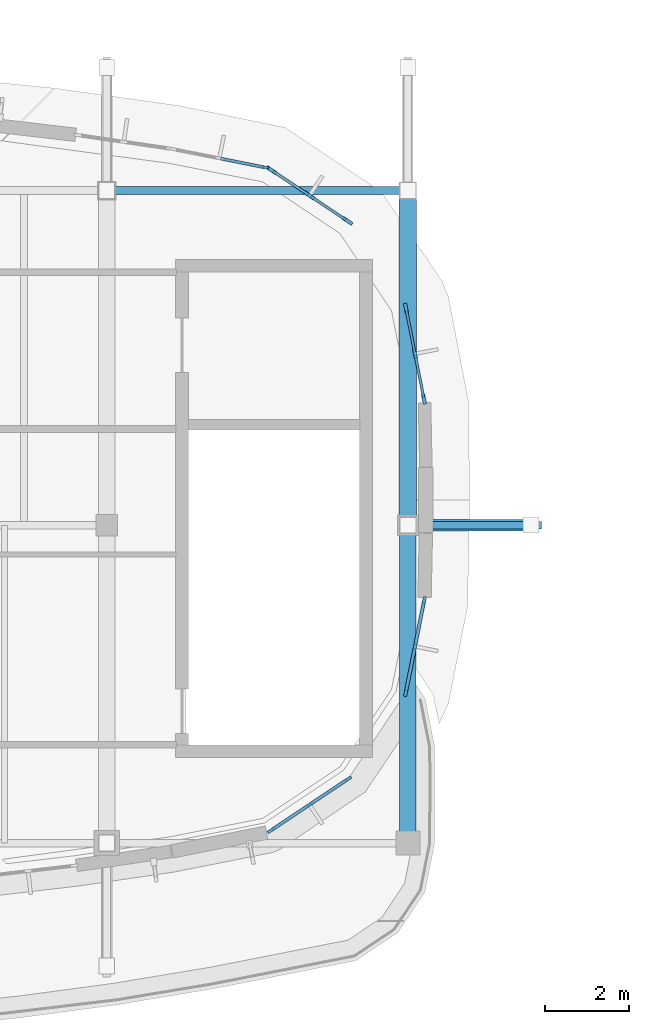
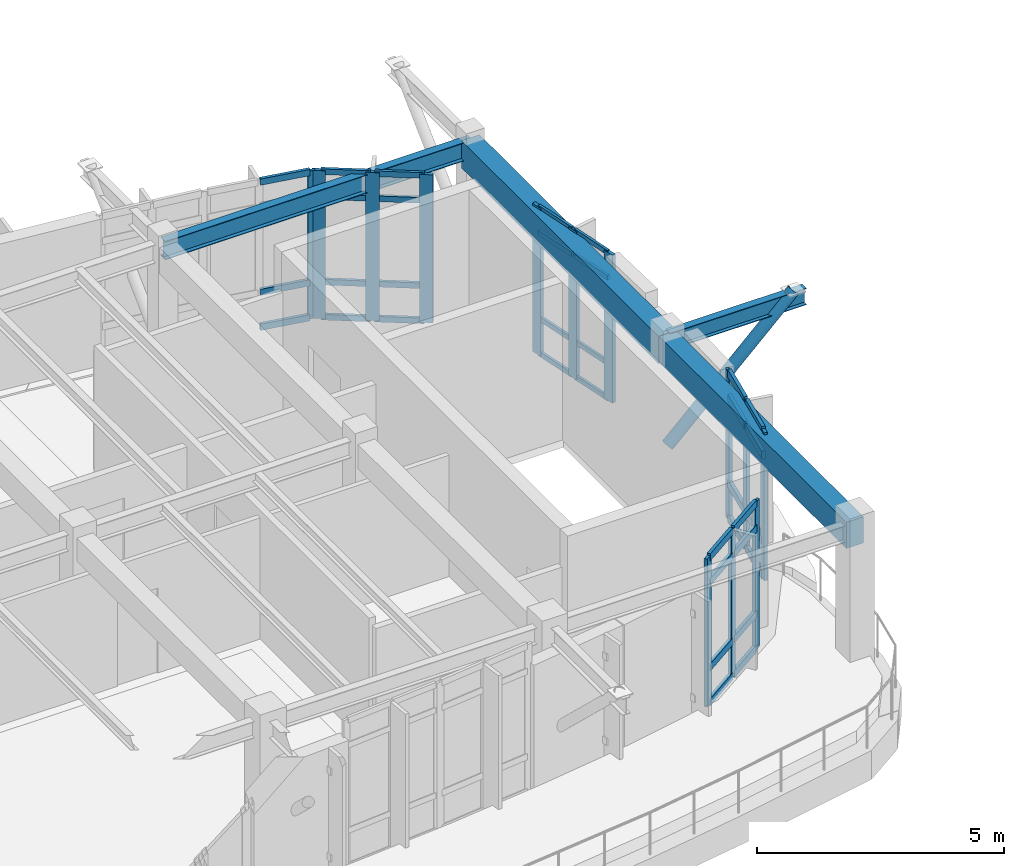
# One storey, part 27 of 105: 50 members, 4 beams, 5 elements without a shape of their own.
"""IFC4 building model written with IfcOpenShell, lengths in metres."""

from ifc_helpers import new_model, si_unit, direction, frame, origin, origin_2d, place, context, subcontext, project, spatial, rectangle, hollow_circle, i_section, extrude, material, material_profile, profile_set, type_object, element, aggregate, save


model = new_model("IFC4")

# Units and contexts
model_context = context("Model", 3, precision=1e-05, world=origin(), true_north=direction((0.0, 1.0)))
body_context = subcontext(model_context, "Body", "Model", "MODEL_VIEW")
ifc_project = project(units=[si_unit("LENGTHUNIT", "METRE"), si_unit("AREAUNIT", "SQUARE_METRE"), si_unit("VOLUMEUNIT", "CUBIC_METRE"), si_unit("PLANEANGLEUNIT", "RADIAN"), si_unit("MASSUNIT", "GRAM", prefix="KILO")], contexts=[model_context])

# Site, building, storey
site_placement = place(None, origin())
site = spatial("IfcSite", under=ifc_project, at=site_placement, CompositionType="ELEMENT")
building_placement = place(site_placement, origin())
building = spatial("IfcBuilding", under=site, at=building_placement, Name="Corveleigh Park Community Centre", CompositionType="ELEMENT")
storey_placement = place(building_placement, frame((0.0, 0.0, 8.699951171875)))
storey = spatial("IfcBuildingStorey", under=building, at=storey_placement, Name="L02", CompositionType="ELEMENT", Elevation=8.699951171875)

# Beams
ifc_material_1 = material(Name="Concrete C40/50", Category="concrete")
ifc_material_profile_1 = material_profile(ifc_material_1, rectangle(XDim=0.39990234375, YDim=0.64990234375, at=origin_2d()), Name="RC-400x650", Category="concrete")
ifc_profile_set_1 = profile_set([ifc_material_profile_1], Name="Concrete C40/50")
beam_type_1 = type_object("IfcBeamType", Name="BM-RC-400x650", PredefinedType="BEAM", material=ifc_profile_set_1)
beam_1_placement = place(storey_placement, frame((108.0, 11.205078125, 3.287109375), z_axis=(0.0, 1.0, 0.0), x_axis=(-1.0, 0.0, 0.0)))
element("IfcBeam", 1, at=beam_1_placement, inside=storey, type_object=beam_type_1, Name="V3 Girder Y", PredefinedType="BEAM", context=body_context, shape_type="SweptSolid", body=[
    extrude(rectangle(XDim=0.39990234375, YDim=0.64990234375, at=origin_2d()), origin(), (0.0, 0.0, 1.0), 7.58984375),
])
ifc_material_profile_2 = material_profile(ifc_material_1, rectangle(XDim=0.425048828125, YDim=0.675048828125, at=origin_2d()), Name="RC-425x675", Category="concrete")
ifc_profile_set_2 = profile_set([ifc_material_profile_2], Name="Concrete C40/50")
beam_type_2 = type_object("IfcBeamType", Name="BM-RC-425x675", PredefinedType="BEAM", material=ifc_profile_set_2)
beam_2_placement = place(storey_placement, frame((108.0, 18.804931640625, 3.274658203125), z_axis=(0.0, 1.0, 0.0), x_axis=(-1.0, 0.0, 0.0)))
element("IfcBeam", 2, at=beam_2_placement, inside=storey, type_object=beam_type_2, Name="V3 Girder Y", PredefinedType="BEAM", context=body_context, shape_type="SweptSolid", body=[
    extrude(rectangle(XDim=0.425048828125, YDim=0.675048828125, at=origin_2d()), origin(), (0.0, 0.0, 1.0), 7.989990234375),
])
ifc_material_2 = material(Name="Steel S355", Category="steel")
ifc_material_profile_3 = material_profile(ifc_material_2, i_section(OverallWidth=0.1787109375, OverallDepth=0.409423828125, WebThickness=0.0087890625, FlangeThickness=0.014404296875, at=origin_2d()), Name="UKB 406x178x67", Category="steel")
ifc_profile_set_3 = profile_set([ifc_material_profile_3], Name="Steel S355")
beam_type_3 = type_object("IfcBeamType", Name="BM-STL-UKB406x67", PredefinedType="BEAM", material=ifc_profile_set_3)
beam_3_placement = place(storey_placement, frame((108.010009765625, 18.800048828125, 3.459228515625), z_axis=(1.0, 0.0, 0.0), x_axis=(0.0, 1.0, 0.0)))
element("IfcBeam", 3, at=beam_3_placement, inside=storey, type_object=beam_type_3, Name="V3 End Pebble Overhang Strut 5-1 Outrigger", PredefinedType="BEAM", context=body_context, shape_type="SweptSolid", body=[
    extrude(i_section(OverallWidth=0.1787109375, OverallDepth=0.409423828125, WebThickness=0.0087890625, FlangeThickness=0.014404296875, at=origin_2d()), origin(), (0.0, 0.0, 1.0), 3.18994140625),
])
ifc_material_profile_4 = material_profile(ifc_material_2, i_section(OverallWidth=0.1904296875, OverallDepth=0.45703125, WebThickness=0.009033203125, FlangeThickness=0.014404296875, at=origin_2d()), Name="UKB 457x191x74", Category="steel")
ifc_profile_set_4 = profile_set([ifc_material_profile_4], Name="Steel S355")
beam_type_4 = type_object("IfcBeamType", Name="BM-STL-UKB457x74", PredefinedType="BEAM", material=ifc_profile_set_4)
beam_4_placement = place(storey_placement, frame((100.804931640625, 26.800048828125, 3.383544921875), z_axis=(1.0, 0.0, 0.0), x_axis=(0.0, 1.0, 0.0)))
element("IfcBeam", 4, at=beam_4_placement, inside=storey, type_object=beam_type_4, Name="V3 Girder X", PredefinedType="BEAM", context=body_context, shape_type="SweptSolid", body=[
    extrude(i_section(OverallWidth=0.1904296875, OverallDepth=0.45703125, WebThickness=0.009033203125, FlangeThickness=0.014404296875, at=origin_2d()), origin(), (0.0, 0.0, 1.0), 7.190185546875),
])

# Curtain wall, member
ifc_material_3 = material(Name="Anodised aluminium 6063-T6", Category="aluminium")
curtain_wall_type = type_object("IfcCurtainWallType", Name="CW-SYS-V3-UPP", PredefinedType="NOTDEFINED", material=ifc_material_3)
curtain_wall_1_placement = place(storey_placement, origin())
curtain_wall_1 = element("IfcCurtainWall", 5, at=curtain_wall_1_placement, inside=storey, type_object=curtain_wall_type, Name="V3 L02 Curtain Wall 343", PredefinedType="NOTDEFINED")
ifc_material_profile_5 = material_profile(ifc_material_3, rectangle(XDim=0.06005859375, YDim=0.159912109375, at=origin_2d()), Name="ALU-M60x160", Category="aluminium")
ifc_profile_set_5 = profile_set([ifc_material_profile_5], Name="Anodised aluminium 6063-T6")
member_type_1 = type_object("IfcMemberType", Name="CWM-60x160", PredefinedType="MULLION", material=ifc_profile_set_5)
member_1_placement = place(storey_placement, frame((104.592529296875, 27.354736328125, 0.0), z_axis=(0.0, 0.0, 1.0), x_axis=(0.194947048267, 0.980813768445, 0.0)))
member_1 = element("IfcMember", 6, at=member_1_placement, type_object=member_type_1, Name="CW06 mullion 3", PredefinedType="MULLION", context=body_context, shape_type="SweptSolid", body=[
    extrude(rectangle(XDim=0.06005859375, YDim=0.159912109375, at=origin_2d()), origin(), (0.0, 0.0, 1.0), 3.6640625),
])

# Curtain wall, members
curtain_wall_2_placement = place(storey_placement, origin())
curtain_wall_2 = element("IfcCurtainWall", 7, at=curtain_wall_2_placement, inside=storey, type_object=curtain_wall_type, Name="V3 L02 Curtain Wall 339", PredefinedType="NOTDEFINED")
ifc_material_profile_6 = material_profile(ifc_material_3, rectangle(XDim=0.070068359375, YDim=0.199951171875, at=origin_2d()), Name="ALU-M70x200", Category="aluminium")
ifc_profile_set_6 = profile_set([ifc_material_profile_6], Name="Anodised aluminium 6063-T6")
member_type_2 = type_object("IfcMemberType", Name="CWM-70x200", PredefinedType="MULLION", material=ifc_profile_set_6)
member_2_placement = place(storey_placement, frame((106.56298828125, 12.7265625, 0.0), z_axis=(0.0, 0.0, 1.0), x_axis=(0.55520812197, -0.831711453149, 0.0)))
member_2 = element("IfcMember", 8, at=member_2_placement, type_object=member_type_2, Name="CW06 mullion 1", PredefinedType="MULLION", context=body_context, shape_type="SweptSolid", body=[
    extrude(rectangle(XDim=0.070068359375, YDim=0.199951171875, at=origin_2d()), origin(), (0.0, 0.0, 1.0), 3.6640625),
])
member_3_placement = place(storey_placement, frame((105.6474609375, 12.115478515625, 0.0), z_axis=(0.0, 0.0, 1.0), x_axis=(0.55520812197, -0.831711453149, 0.0)))
member_3 = element("IfcMember", 9, at=member_3_placement, type_object=member_type_2, Name="CW06 mullion 2", PredefinedType="MULLION", context=body_context, shape_type="SweptSolid", body=[
    extrude(rectangle(XDim=0.070068359375, YDim=0.199951171875, at=origin_2d()), origin(), (0.0, 0.0, 1.0), 3.6640625),
])
member_4_placement = place(storey_placement, frame((104.732177734375, 11.50439453125, 0.0), z_axis=(0.0, 0.0, 1.0), x_axis=(0.55520812197, -0.831711453149, 0.0)))
member_4 = element("IfcMember", 10, at=member_4_placement, type_object=member_type_2, Name="CW06 mullion 3", PredefinedType="MULLION", context=body_context, shape_type="SweptSolid", body=[
    extrude(rectangle(XDim=0.070068359375, YDim=0.199951171875, at=origin_2d()), origin(), (0.0, 0.0, 1.0), 3.6640625),
])

curtain_wall_3_placement = place(storey_placement, origin())
curtain_wall_3 = element("IfcCurtainWall", 11, at=curtain_wall_3_placement, inside=storey, type_object=curtain_wall_type, Name="V3 L02 Curtain Wall 340", PredefinedType="NOTDEFINED")
ifc_material_profile_7 = material_profile(ifc_material_3, rectangle(XDim=0.074951171875, YDim=0.219970703125, at=origin_2d()), Name="ALU-M75x220", Category="aluminium")
ifc_profile_set_7 = profile_set([ifc_material_profile_7], Name="Anodised aluminium 6063-T6")
member_type_3 = type_object("IfcMemberType", Name="CWM-75x220", PredefinedType="MULLION", material=ifc_profile_set_7)
member_5_placement = place(storey_placement, frame((108.3876953125, 16.9873046875, 0.0), z_axis=(0.0, 0.0, 1.0), x_axis=(0.980848499041, -0.194772230896, 0.0)))
member_5 = element("IfcMember", 12, at=member_5_placement, type_object=member_type_3, Name="CW06 mullion 1", PredefinedType="MULLION", context=body_context, shape_type="SweptSolid", body=[
    extrude(rectangle(XDim=0.074951171875, YDim=0.219970703125, at=origin_2d()), origin(), (0.0, 0.0, 1.0), 3.6640625),
])
member_6_placement = place(storey_placement, frame((108.172119140625, 15.90087890625, 0.0), z_axis=(0.0, 0.0, 1.0), x_axis=(0.980848499041, -0.194772230896, 0.0)))
member_6 = element("IfcMember", 13, at=member_6_placement, type_object=member_type_3, Name="CW06 mullion 2", PredefinedType="MULLION", context=body_context, shape_type="SweptSolid", body=[
    extrude(rectangle(XDim=0.074951171875, YDim=0.219970703125, at=origin_2d()), origin(), (0.0, 0.0, 1.0), 3.6640625),
])
member_7_placement = place(storey_placement, frame((107.956298828125, 14.814697265625, 0.0), z_axis=(0.0, 0.0, 1.0), x_axis=(0.980848499041, -0.194772230896, 0.0)))
member_7 = element("IfcMember", 14, at=member_7_placement, type_object=member_type_3, Name="CW06 mullion 3", PredefinedType="MULLION", context=body_context, shape_type="SweptSolid", body=[
    extrude(rectangle(XDim=0.074951171875, YDim=0.219970703125, at=origin_2d()), origin(), (0.0, 0.0, 1.0), 3.6640625),
])

curtain_wall_4_placement = place(storey_placement, origin())
curtain_wall_4 = element("IfcCurtainWall", 15, at=curtain_wall_4_placement, inside=storey, type_object=curtain_wall_type, Name="V3 L02 Curtain Wall 341", PredefinedType="NOTDEFINED")
ifc_material_profile_8 = material_profile(ifc_material_3, rectangle(XDim=0.080078125, YDim=0.25, at=origin_2d()), Name="ALU-M80x250", Category="aluminium")
ifc_profile_set_8 = profile_set([ifc_material_profile_8], Name="Anodised aluminium 6063-T6")
member_type_4 = type_object("IfcMemberType", Name="CWM-80x250", PredefinedType="MULLION", material=ifc_profile_set_8)
member_8_placement = place(storey_placement, frame((107.956787109375, 23.982666015625, 0.0), z_axis=(0.0, 0.0, 1.0), x_axis=(0.980848499041, 0.194772230896, 0.0)))
member_8 = element("IfcMember", 16, at=member_8_placement, type_object=member_type_4, Name="CW06 mullion 1", PredefinedType="MULLION", context=body_context, shape_type="SweptSolid", body=[
    extrude(rectangle(XDim=0.080078125, YDim=0.25, at=origin_2d()), origin(), (0.0, 0.0, 1.0), 3.6640625),
])
member_9_placement = place(storey_placement, frame((108.172119140625, 22.89892578125, 0.0), z_axis=(0.0, 0.0, 1.0), x_axis=(0.980848499041, 0.194772230896, 0.0)))
member_9 = element("IfcMember", 17, at=member_9_placement, type_object=member_type_4, Name="CW06 mullion 2", PredefinedType="MULLION", context=body_context, shape_type="SweptSolid", body=[
    extrude(rectangle(XDim=0.080078125, YDim=0.25, at=origin_2d()), origin(), (0.0, 0.0, 1.0), 3.6640625),
])
member_10_placement = place(storey_placement, frame((108.38720703125, 21.815185546875, 0.0), z_axis=(0.0, 0.0, 1.0), x_axis=(0.980848499041, 0.194772230896, 0.0)))
member_10 = element("IfcMember", 18, at=member_10_placement, type_object=member_type_4, Name="CW06 mullion 3", PredefinedType="MULLION", context=body_context, shape_type="SweptSolid", body=[
    extrude(rectangle(XDim=0.080078125, YDim=0.25, at=origin_2d()), origin(), (0.0, 0.0, 1.0), 3.6640625),
])

curtain_wall_5_placement = place(storey_placement, origin())
curtain_wall_5 = element("IfcCurtainWall", 19, at=curtain_wall_5_placement, inside=storey, type_object=curtain_wall_type, Name="V3 L02 Curtain Wall 342", PredefinedType="NOTDEFINED")
ifc_material_profile_9 = material_profile(ifc_material_3, rectangle(XDim=0.0849609375, YDim=0.27490234375, at=origin_2d()), Name="ALU-M85x275", Category="aluminium")
ifc_profile_set_9 = profile_set([ifc_material_profile_9], Name="Anodised aluminium 6063-T6")
member_type_5 = type_object("IfcMemberType", Name="CWM-85x275", PredefinedType="MULLION", material=ifc_profile_set_9)
member_11_placement = place(storey_placement, frame((104.73828125, 27.29150390625, 0.0), z_axis=(0.0, 0.0, 1.0), x_axis=(0.55520812197, 0.831711453149, 0.0)))
member_11 = element("IfcMember", 20, at=member_11_placement, type_object=member_type_5, Name="CW06 mullion 1", PredefinedType="MULLION", context=body_context, shape_type="SweptSolid", body=[
    extrude(rectangle(XDim=0.0849609375, YDim=0.27490234375, at=origin_2d()), origin(), (0.0, 0.0, 1.0), 3.6640625),
])
member_12_placement = place(storey_placement, frame((105.6474609375, 26.6845703125, 0.0), z_axis=(0.0, 0.0, 1.0), x_axis=(0.55520812197, 0.831711453149, 0.0)))
member_12 = element("IfcMember", 21, at=member_12_placement, type_object=member_type_5, Name="CW06 mullion 2", PredefinedType="MULLION", context=body_context, shape_type="SweptSolid", body=[
    extrude(rectangle(XDim=0.0849609375, YDim=0.27490234375, at=origin_2d()), origin(), (0.0, 0.0, 1.0), 3.6640625),
])
member_13_placement = place(storey_placement, frame((106.556640625, 26.07763671875, 0.0), z_axis=(0.0, 0.0, 1.0), x_axis=(0.55520812197, 0.831711453149, 0.0)))
member_13 = element("IfcMember", 22, at=member_13_placement, type_object=member_type_5, Name="CW06 mullion 3", PredefinedType="MULLION", context=body_context, shape_type="SweptSolid", body=[
    extrude(rectangle(XDim=0.0849609375, YDim=0.27490234375, at=origin_2d()), origin(), (0.0, 0.0, 1.0), 3.6640625),
])

# Member
ifc_material_profile_10 = material_profile(ifc_material_3, rectangle(XDim=0.06005859375, YDim=0.1201171875, at=origin_2d()), Name="ALU-T60x120", Category="aluminium")
ifc_profile_set_10 = profile_set([ifc_material_profile_10], Name="Anodised aluminium 6063-T6")
member_type_6 = type_object("IfcMemberType", Name="CWT-60x120", PredefinedType="USERDEFINED", material=ifc_profile_set_10)
member_14_placement = place(storey_placement, frame((107.964599609375, 23.943603515625, 0.030029296875), z_axis=(0.194833445186, -0.980836341413, 0.0), x_axis=(0.980836341413, 0.194833445186, 0.0)))
member_14 = element("IfcMember", 23, at=member_14_placement, type_object=member_type_6, Name="CW06 transom 1.1", ObjectType="TRANSOM", PredefinedType="USERDEFINED", context=body_context, shape_type="SweptSolid", body=[
    extrude(rectangle(XDim=0.06005859375, YDim=0.1201171875, at=origin_2d()), origin(), (0.0, 0.0, 1.0), 1.02490234375),
])

member_15_placement = place(storey_placement, frame((107.964599609375, 23.943603515625, 0.900146484375), z_axis=(0.194833445186, -0.980836341413, 0.0), x_axis=(0.980836341413, 0.194833445186, 0.0)))
member_15 = element("IfcMember", 24, at=member_15_placement, type_object=member_type_6, Name="CW06 transom 1.2", ObjectType="TRANSOM", PredefinedType="USERDEFINED", context=body_context, shape_type="SweptSolid", body=[
    extrude(rectangle(XDim=0.06005859375, YDim=0.1201171875, at=origin_2d()), origin(), (0.0, 0.0, 1.0), 1.02490234375),
])

member_16_placement = place(storey_placement, frame((107.964599609375, 23.943603515625, 3.01416015625), z_axis=(0.194833445186, -0.980836341413, 0.0), x_axis=(0.980836341413, 0.194833445186, 0.0)))
member_16 = element("IfcMember", 25, at=member_16_placement, type_object=member_type_6, Name="CW06 transom 1.3", ObjectType="TRANSOM", PredefinedType="USERDEFINED", context=body_context, shape_type="SweptSolid", body=[
    extrude(rectangle(XDim=0.06005859375, YDim=0.1201171875, at=origin_2d()), origin(), (0.0, 0.0, 1.0), 1.02490234375),
])

member_17_placement = place(storey_placement, frame((107.964599609375, 23.943603515625, 3.634033203125), z_axis=(0.194833445186, -0.980836341413, 0.0), x_axis=(0.980836341413, 0.194833445186, 0.0)))
member_17 = element("IfcMember", 26, at=member_17_placement, type_object=member_type_6, Name="CW06 transom 1.4", ObjectType="TRANSOM", PredefinedType="USERDEFINED", context=body_context, shape_type="SweptSolid", body=[
    extrude(rectangle(XDim=0.06005859375, YDim=0.1201171875, at=origin_2d()), origin(), (0.0, 0.0, 1.0), 1.02490234375),
])

member_18_placement = place(storey_placement, frame((108.1796875, 22.85986328125, 0.030029296875), z_axis=(0.194833445186, -0.980836341413, 0.0), x_axis=(0.980836341413, 0.194833445186, 0.0)))
member_18 = element("IfcMember", 27, at=member_18_placement, type_object=member_type_6, Name="CW06 transom 2.1", ObjectType="TRANSOM", PredefinedType="USERDEFINED", context=body_context, shape_type="SweptSolid", body=[
    extrude(rectangle(XDim=0.06005859375, YDim=0.1201171875, at=origin_2d()), origin(), (0.0, 0.0, 1.0), 1.02490234375),
])

member_19_placement = place(storey_placement, frame((108.1796875, 22.85986328125, 0.900146484375), z_axis=(0.194833445186, -0.980836341413, 0.0), x_axis=(0.980836341413, 0.194833445186, 0.0)))
member_19 = element("IfcMember", 28, at=member_19_placement, type_object=member_type_6, Name="CW06 transom 2.2", ObjectType="TRANSOM", PredefinedType="USERDEFINED", context=body_context, shape_type="SweptSolid", body=[
    extrude(rectangle(XDim=0.06005859375, YDim=0.1201171875, at=origin_2d()), origin(), (0.0, 0.0, 1.0), 1.02490234375),
])

member_20_placement = place(storey_placement, frame((108.1796875, 22.85986328125, 3.01416015625), z_axis=(0.194833445186, -0.980836341413, 0.0), x_axis=(0.980836341413, 0.194833445186, 0.0)))
member_20 = element("IfcMember", 29, at=member_20_placement, type_object=member_type_6, Name="CW06 transom 2.3", ObjectType="TRANSOM", PredefinedType="USERDEFINED", context=body_context, shape_type="SweptSolid", body=[
    extrude(rectangle(XDim=0.06005859375, YDim=0.1201171875, at=origin_2d()), origin(), (0.0, 0.0, 1.0), 1.02490234375),
])

member_21_placement = place(storey_placement, frame((108.1796875, 22.85986328125, 3.634033203125), z_axis=(0.194833445186, -0.980836341413, 0.0), x_axis=(0.980836341413, 0.194833445186, 0.0)))
member_21 = element("IfcMember", 30, at=member_21_placement, type_object=member_type_6, Name="CW06 transom 2.4", ObjectType="TRANSOM", PredefinedType="USERDEFINED", context=body_context, shape_type="SweptSolid", body=[
    extrude(rectangle(XDim=0.06005859375, YDim=0.1201171875, at=origin_2d()), origin(), (0.0, 0.0, 1.0), 1.02490234375),
])

aggregate(curtain_wall_4, [member_8, member_9, member_10, member_14, member_15, member_16, member_17, member_18, member_19, member_20, member_21])

ifc_material_profile_11 = material_profile(ifc_material_3, rectangle(XDim=0.06494140625, YDim=0.139892578125, at=origin_2d()), Name="ALU-T65x140", Category="aluminium")
ifc_profile_set_11 = profile_set([ifc_material_profile_11], Name="Anodised aluminium 6063-T6")
member_type_7 = type_object("IfcMemberType", Name="CWT-65x140", PredefinedType="USERDEFINED", material=ifc_profile_set_11)
member_22_placement = place(storey_placement, frame((104.773681640625, 27.267822265625, 0.032470703125), z_axis=(0.831640227057, -0.555314805079, 0.0), x_axis=(0.555314805079, 0.831640227057, 0.0)))
member_22 = element("IfcMember", 31, at=member_22_placement, type_object=member_type_7, Name="CW06 transom 1.1", ObjectType="TRANSOM", PredefinedType="USERDEFINED", context=body_context, shape_type="SweptSolid", body=[
    extrude(rectangle(XDim=0.06494140625, YDim=0.139892578125, at=origin_2d()), origin(), (0.0, 0.0, 1.0), 1.008056640625),
])

member_23_placement = place(storey_placement, frame((104.773681640625, 27.267822265625, 0.900146484375), z_axis=(0.831640227057, -0.555314805079, 0.0), x_axis=(0.555314805079, 0.831640227057, 0.0)))
member_23 = element("IfcMember", 32, at=member_23_placement, type_object=member_type_7, Name="CW06 transom 1.2", ObjectType="TRANSOM", PredefinedType="USERDEFINED", context=body_context, shape_type="SweptSolid", body=[
    extrude(rectangle(XDim=0.06494140625, YDim=0.139892578125, at=origin_2d()), origin(), (0.0, 0.0, 1.0), 1.008056640625),
])

member_24_placement = place(storey_placement, frame((104.773681640625, 27.267822265625, 3.01416015625), z_axis=(0.831640227057, -0.555314805079, 0.0), x_axis=(0.555314805079, 0.831640227057, 0.0)))
member_24 = element("IfcMember", 33, at=member_24_placement, type_object=member_type_7, Name="CW06 transom 1.3", ObjectType="TRANSOM", PredefinedType="USERDEFINED", context=body_context, shape_type="SweptSolid", body=[
    extrude(rectangle(XDim=0.06494140625, YDim=0.139892578125, at=origin_2d()), origin(), (0.0, 0.0, 1.0), 1.008056640625),
])

member_25_placement = place(storey_placement, frame((104.773681640625, 27.267822265625, 3.631591796875), z_axis=(0.831640227057, -0.555314805079, 0.0), x_axis=(0.555314805079, 0.831640227057, 0.0)))
member_25 = element("IfcMember", 34, at=member_25_placement, type_object=member_type_7, Name="CW06 transom 1.4", ObjectType="TRANSOM", PredefinedType="USERDEFINED", context=body_context, shape_type="SweptSolid", body=[
    extrude(rectangle(XDim=0.06494140625, YDim=0.139892578125, at=origin_2d()), origin(), (0.0, 0.0, 1.0), 1.008056640625),
])

member_26_placement = place(storey_placement, frame((105.682861328125, 26.660888671875, 0.032470703125), z_axis=(0.831640227057, -0.555314805079, 0.0), x_axis=(0.555314805079, 0.831640227057, 0.0)))
member_26 = element("IfcMember", 35, at=member_26_placement, type_object=member_type_7, Name="CW06 transom 2.1", ObjectType="TRANSOM", PredefinedType="USERDEFINED", context=body_context, shape_type="SweptSolid", body=[
    extrude(rectangle(XDim=0.06494140625, YDim=0.139892578125, at=origin_2d()), origin(), (0.0, 0.0, 1.0), 1.008056640625),
])

member_27_placement = place(storey_placement, frame((105.682861328125, 26.660888671875, 0.900146484375), z_axis=(0.831640227057, -0.555314805079, 0.0), x_axis=(0.555314805079, 0.831640227057, 0.0)))
member_27 = element("IfcMember", 36, at=member_27_placement, type_object=member_type_7, Name="CW06 transom 2.2", ObjectType="TRANSOM", PredefinedType="USERDEFINED", context=body_context, shape_type="SweptSolid", body=[
    extrude(rectangle(XDim=0.06494140625, YDim=0.139892578125, at=origin_2d()), origin(), (0.0, 0.0, 1.0), 1.008056640625),
])

member_28_placement = place(storey_placement, frame((105.682861328125, 26.660888671875, 3.01416015625), z_axis=(0.831640227057, -0.555314805079, 0.0), x_axis=(0.555314805079, 0.831640227057, 0.0)))
member_28 = element("IfcMember", 37, at=member_28_placement, type_object=member_type_7, Name="CW06 transom 2.3", ObjectType="TRANSOM", PredefinedType="USERDEFINED", context=body_context, shape_type="SweptSolid", body=[
    extrude(rectangle(XDim=0.06494140625, YDim=0.139892578125, at=origin_2d()), origin(), (0.0, 0.0, 1.0), 1.008056640625),
])

member_29_placement = place(storey_placement, frame((105.682861328125, 26.660888671875, 3.631591796875), z_axis=(0.831640227057, -0.555314805079, 0.0), x_axis=(0.555314805079, 0.831640227057, 0.0)))
member_29 = element("IfcMember", 38, at=member_29_placement, type_object=member_type_7, Name="CW06 transom 2.4", ObjectType="TRANSOM", PredefinedType="USERDEFINED", context=body_context, shape_type="SweptSolid", body=[
    extrude(rectangle(XDim=0.06494140625, YDim=0.139892578125, at=origin_2d()), origin(), (0.0, 0.0, 1.0), 1.008056640625),
])

aggregate(curtain_wall_5, [member_11, member_12, member_13, member_22, member_23, member_24, member_25, member_26, member_27, member_28, member_29])

ifc_material_profile_12 = material_profile(ifc_material_3, rectangle(XDim=0.070068359375, YDim=0.155029296875, at=origin_2d()), Name="ALU-T70x155", Category="aluminium")
ifc_profile_set_12 = profile_set([ifc_material_profile_12], Name="Anodised aluminium 6063-T6")
member_type_8 = type_object("IfcMemberType", Name="CWT-70x155", PredefinedType="USERDEFINED", material=ifc_profile_set_12)
member_30_placement = place(storey_placement, frame((103.52197265625, 27.567626953125, 0.03515625), z_axis=(0.980801172703, -0.195010409016, 0.0), x_axis=(0.195010409016, 0.980801172703, 0.0)))
member_30 = element("IfcMember", 39, at=member_30_placement, type_object=member_type_8, Name="CW06 transom 2.1", ObjectType="TRANSOM", PredefinedType="USERDEFINED", context=body_context, shape_type="SweptSolid", body=[
    extrude(rectangle(XDim=0.070068359375, YDim=0.155029296875, at=origin_2d()), origin(), (0.0, 0.0, 1.0), 1.0615234375),
])

member_31_placement = place(storey_placement, frame((103.52197265625, 27.567626953125, 0.900146484375), z_axis=(0.980801172703, -0.195010409016, 0.0), x_axis=(0.195010409016, 0.980801172703, 0.0)))
member_31 = element("IfcMember", 40, at=member_31_placement, type_object=member_type_8, Name="CW06 transom 2.2", ObjectType="TRANSOM", PredefinedType="USERDEFINED", context=body_context, shape_type="SweptSolid", body=[
    extrude(rectangle(XDim=0.070068359375, YDim=0.155029296875, at=origin_2d()), origin(), (0.0, 0.0, 1.0), 1.0615234375),
])

member_32_placement = place(storey_placement, frame((103.52197265625, 27.567626953125, 3.01416015625), z_axis=(0.980801172703, -0.195010409016, 0.0), x_axis=(0.195010409016, 0.980801172703, 0.0)))
member_32 = element("IfcMember", 41, at=member_32_placement, type_object=member_type_8, Name="CW06 transom 2.3", ObjectType="TRANSOM", PredefinedType="USERDEFINED", context=body_context, shape_type="SweptSolid", body=[
    extrude(rectangle(XDim=0.070068359375, YDim=0.155029296875, at=origin_2d()), origin(), (0.0, 0.0, 1.0), 1.0615234375),
])

member_33_placement = place(storey_placement, frame((103.52197265625, 27.567626953125, 3.629150390625), z_axis=(0.980801172703, -0.195010409016, 0.0), x_axis=(0.195010409016, 0.980801172703, 0.0)))
member_33 = element("IfcMember", 42, at=member_33_placement, type_object=member_type_8, Name="CW06 transom 2.4", ObjectType="TRANSOM", PredefinedType="USERDEFINED", context=body_context, shape_type="SweptSolid", body=[
    extrude(rectangle(XDim=0.070068359375, YDim=0.155029296875, at=origin_2d()), origin(), (0.0, 0.0, 1.0), 1.0615234375),
])

aggregate(curtain_wall_1, [member_1, member_30, member_31, member_32, member_33])

ifc_material_profile_13 = material_profile(ifc_material_3, rectangle(XDim=0.074951171875, YDim=0.175048828125, at=origin_2d()), Name="ALU-T75x175", Category="aluminium")
ifc_profile_set_13 = profile_set([ifc_material_profile_13], Name="Anodised aluminium 6063-T6")
member_type_9 = type_object("IfcMemberType", Name="CWT-75x175", PredefinedType="USERDEFINED", material=ifc_profile_set_13)
member_34_placement = place(storey_placement, frame((106.53369140625, 12.70703125, 0.03759765625), z_axis=(-0.831795071234, -0.555082840188, 0.0), x_axis=(0.555082840188, -0.831795071234, 0.0)))
member_34 = element("IfcMember", 43, at=member_34_placement, type_object=member_type_9, Name="CW06 transom 1.1", ObjectType="TRANSOM", PredefinedType="USERDEFINED", context=body_context, shape_type="SweptSolid", body=[
    extrude(rectangle(XDim=0.074951171875, YDim=0.175048828125, at=origin_2d()), origin(), (0.0, 0.0, 1.0), 1.030517578125),
])

member_35_placement = place(storey_placement, frame((106.53369140625, 12.70703125, 0.900146484375), z_axis=(-0.831795071234, -0.555082840188, 0.0), x_axis=(0.555082840188, -0.831795071234, 0.0)))
member_35 = element("IfcMember", 44, at=member_35_placement, type_object=member_type_9, Name="CW06 transom 1.2", ObjectType="TRANSOM", PredefinedType="USERDEFINED", context=body_context, shape_type="SweptSolid", body=[
    extrude(rectangle(XDim=0.074951171875, YDim=0.175048828125, at=origin_2d()), origin(), (0.0, 0.0, 1.0), 1.030517578125),
])

member_36_placement = place(storey_placement, frame((106.53369140625, 12.70703125, 3.01416015625), z_axis=(-0.831795071234, -0.555082840188, 0.0), x_axis=(0.555082840188, -0.831795071234, 0.0)))
member_36 = element("IfcMember", 45, at=member_36_placement, type_object=member_type_9, Name="CW06 transom 1.3", ObjectType="TRANSOM", PredefinedType="USERDEFINED", context=body_context, shape_type="SweptSolid", body=[
    extrude(rectangle(XDim=0.074951171875, YDim=0.175048828125, at=origin_2d()), origin(), (0.0, 0.0, 1.0), 1.030517578125),
])

member_37_placement = place(storey_placement, frame((106.53369140625, 12.70703125, 3.62646484375), z_axis=(-0.831795071234, -0.555082840188, 0.0), x_axis=(0.555082840188, -0.831795071234, 0.0)))
member_37 = element("IfcMember", 46, at=member_37_placement, type_object=member_type_9, Name="CW06 transom 1.4", ObjectType="TRANSOM", PredefinedType="USERDEFINED", context=body_context, shape_type="SweptSolid", body=[
    extrude(rectangle(XDim=0.074951171875, YDim=0.175048828125, at=origin_2d()), origin(), (0.0, 0.0, 1.0), 1.030517578125),
])

member_38_placement = place(storey_placement, frame((105.618408203125, 12.095947265625, 0.03759765625), z_axis=(-0.831795071234, -0.555082840188, 0.0), x_axis=(0.555082840188, -0.831795071234, 0.0)))
member_38 = element("IfcMember", 47, at=member_38_placement, type_object=member_type_9, Name="CW06 transom 2.1", ObjectType="TRANSOM", PredefinedType="USERDEFINED", context=body_context, shape_type="SweptSolid", body=[
    extrude(rectangle(XDim=0.074951171875, YDim=0.175048828125, at=origin_2d()), origin(), (0.0, 0.0, 1.0), 1.030517578125),
])

member_39_placement = place(storey_placement, frame((105.618408203125, 12.095947265625, 0.900146484375), z_axis=(-0.831795071234, -0.555082840188, 0.0), x_axis=(0.555082840188, -0.831795071234, 0.0)))
member_39 = element("IfcMember", 48, at=member_39_placement, type_object=member_type_9, Name="CW06 transom 2.2", ObjectType="TRANSOM", PredefinedType="USERDEFINED", context=body_context, shape_type="SweptSolid", body=[
    extrude(rectangle(XDim=0.074951171875, YDim=0.175048828125, at=origin_2d()), origin(), (0.0, 0.0, 1.0), 1.030517578125),
])

member_40_placement = place(storey_placement, frame((105.618408203125, 12.095947265625, 3.01416015625), z_axis=(-0.831795071234, -0.555082840188, 0.0), x_axis=(0.555082840188, -0.831795071234, 0.0)))
member_40 = element("IfcMember", 49, at=member_40_placement, type_object=member_type_9, Name="CW06 transom 2.3", ObjectType="TRANSOM", PredefinedType="USERDEFINED", context=body_context, shape_type="SweptSolid", body=[
    extrude(rectangle(XDim=0.074951171875, YDim=0.175048828125, at=origin_2d()), origin(), (0.0, 0.0, 1.0), 1.030517578125),
])

member_41_placement = place(storey_placement, frame((105.618408203125, 12.095947265625, 3.62646484375), z_axis=(-0.831795071234, -0.555082840188, 0.0), x_axis=(0.555082840188, -0.831795071234, 0.0)))
member_41 = element("IfcMember", 50, at=member_41_placement, type_object=member_type_9, Name="CW06 transom 2.4", ObjectType="TRANSOM", PredefinedType="USERDEFINED", context=body_context, shape_type="SweptSolid", body=[
    extrude(rectangle(XDim=0.074951171875, YDim=0.175048828125, at=origin_2d()), origin(), (0.0, 0.0, 1.0), 1.030517578125),
])

aggregate(curtain_wall_2, [member_2, member_3, member_4, member_34, member_35, member_36, member_37, member_38, member_39, member_40, member_41])

ifc_material_profile_14 = material_profile(ifc_material_3, rectangle(XDim=0.080078125, YDim=0.195068359375, at=origin_2d()), Name="ALU-T80x195", Category="aluminium")
ifc_profile_set_14 = profile_set([ifc_material_profile_14], Name="Anodised aluminium 6063-T6")
member_type_10 = type_object("IfcMemberType", Name="CWT-80x195", PredefinedType="USERDEFINED", material=ifc_profile_set_14)
member_42_placement = place(storey_placement, frame((108.38037109375, 16.950439453125, 0.0400390625), z_axis=(-0.194842725712, -0.980834497883, 0.0), x_axis=(0.980834497883, -0.194842725712, 0.0)))
member_42 = element("IfcMember", 51, at=member_42_placement, type_object=member_type_10, Name="CW06 transom 1.1", ObjectType="TRANSOM", PredefinedType="USERDEFINED", context=body_context, shape_type="SweptSolid", body=[
    extrude(rectangle(XDim=0.080078125, YDim=0.195068359375, at=origin_2d()), origin(), (0.0, 0.0, 1.0), 1.032470703125),
])

member_43_placement = place(storey_placement, frame((108.38037109375, 16.950439453125, 0.900146484375), z_axis=(-0.194842725712, -0.980834497883, 0.0), x_axis=(0.980834497883, -0.194842725712, 0.0)))
member_43 = element("IfcMember", 52, at=member_43_placement, type_object=member_type_10, Name="CW06 transom 1.2", ObjectType="TRANSOM", PredefinedType="USERDEFINED", context=body_context, shape_type="SweptSolid", body=[
    extrude(rectangle(XDim=0.080078125, YDim=0.195068359375, at=origin_2d()), origin(), (0.0, 0.0, 1.0), 1.032470703125),
])

member_44_placement = place(storey_placement, frame((108.38037109375, 16.950439453125, 3.01416015625), z_axis=(-0.194842725712, -0.980834497883, 0.0), x_axis=(0.980834497883, -0.194842725712, 0.0)))
member_44 = element("IfcMember", 53, at=member_44_placement, type_object=member_type_10, Name="CW06 transom 1.3", ObjectType="TRANSOM", PredefinedType="USERDEFINED", context=body_context, shape_type="SweptSolid", body=[
    extrude(rectangle(XDim=0.080078125, YDim=0.195068359375, at=origin_2d()), origin(), (0.0, 0.0, 1.0), 1.032470703125),
])

member_45_placement = place(storey_placement, frame((108.38037109375, 16.950439453125, 3.6240234375), z_axis=(-0.194842725712, -0.980834497883, 0.0), x_axis=(0.980834497883, -0.194842725712, 0.0)))
member_45 = element("IfcMember", 54, at=member_45_placement, type_object=member_type_10, Name="CW06 transom 1.4", ObjectType="TRANSOM", PredefinedType="USERDEFINED", context=body_context, shape_type="SweptSolid", body=[
    extrude(rectangle(XDim=0.080078125, YDim=0.195068359375, at=origin_2d()), origin(), (0.0, 0.0, 1.0), 1.032470703125),
])

member_46_placement = place(storey_placement, frame((108.164794921875, 15.8642578125, 0.0400390625), z_axis=(-0.194842725712, -0.980834497883, 0.0), x_axis=(0.980834497883, -0.194842725712, 0.0)))
member_46 = element("IfcMember", 55, at=member_46_placement, type_object=member_type_10, Name="CW06 transom 2.1", ObjectType="TRANSOM", PredefinedType="USERDEFINED", context=body_context, shape_type="SweptSolid", body=[
    extrude(rectangle(XDim=0.080078125, YDim=0.195068359375, at=origin_2d()), origin(), (0.0, 0.0, 1.0), 1.032470703125),
])

member_47_placement = place(storey_placement, frame((108.164794921875, 15.8642578125, 0.900146484375), z_axis=(-0.194842725712, -0.980834497883, 0.0), x_axis=(0.980834497883, -0.194842725712, 0.0)))
member_47 = element("IfcMember", 56, at=member_47_placement, type_object=member_type_10, Name="CW06 transom 2.2", ObjectType="TRANSOM", PredefinedType="USERDEFINED", context=body_context, shape_type="SweptSolid", body=[
    extrude(rectangle(XDim=0.080078125, YDim=0.195068359375, at=origin_2d()), origin(), (0.0, 0.0, 1.0), 1.032470703125),
])

member_48_placement = place(storey_placement, frame((108.164794921875, 15.8642578125, 3.01416015625), z_axis=(-0.194842725712, -0.980834497883, 0.0), x_axis=(0.980834497883, -0.194842725712, 0.0)))
member_48 = element("IfcMember", 57, at=member_48_placement, type_object=member_type_10, Name="CW06 transom 2.3", ObjectType="TRANSOM", PredefinedType="USERDEFINED", context=body_context, shape_type="SweptSolid", body=[
    extrude(rectangle(XDim=0.080078125, YDim=0.195068359375, at=origin_2d()), origin(), (0.0, 0.0, 1.0), 1.032470703125),
])

member_49_placement = place(storey_placement, frame((108.164794921875, 15.8642578125, 3.6240234375), z_axis=(-0.194842725712, -0.980834497883, 0.0), x_axis=(0.980834497883, -0.194842725712, 0.0)))
member_49 = element("IfcMember", 58, at=member_49_placement, type_object=member_type_10, Name="CW06 transom 2.4", ObjectType="TRANSOM", PredefinedType="USERDEFINED", context=body_context, shape_type="SweptSolid", body=[
    extrude(rectangle(XDim=0.080078125, YDim=0.195068359375, at=origin_2d()), origin(), (0.0, 0.0, 1.0), 1.032470703125),
])

aggregate(curtain_wall_3, [member_5, member_6, member_7, member_42, member_43, member_44, member_45, member_46, member_47, member_48, member_49])

ifc_material_profile_15 = material_profile(ifc_material_2, hollow_circle(Radius=0.136474609375, WallThickness=0.012451171875, at=origin_2d()), Name="CHS 273.0x12.5", Category="steel")
ifc_profile_set_15 = profile_set([ifc_material_profile_15], Name="Steel S355")
member_type_11 = type_object("IfcMemberType", Name="MEM-STR-CHS273E", PredefinedType="STRUT", material=ifc_profile_set_15)
member_50_placement = place(storey_placement, frame((108.0, 18.800048828125, 0.85009765625), z_axis=(0.72377100522, 0.0, 0.690040239408), x_axis=(0.0, 1.0, 0.0)))
element("IfcMember", 59, at=member_50_placement, inside=storey, type_object=member_type_11, Name="V3 End Pebble Overhang Strut 5-1", PredefinedType="STRUT", context=body_context, shape_type="SweptSolid", body=[
    extrude(hollow_circle(Radius=0.136474609375, WallThickness=0.012451171875, at=origin_2d()), origin(), (0.0, 0.0, 1.0), 4.067626953125),
])

save(model, "model.ifc")
